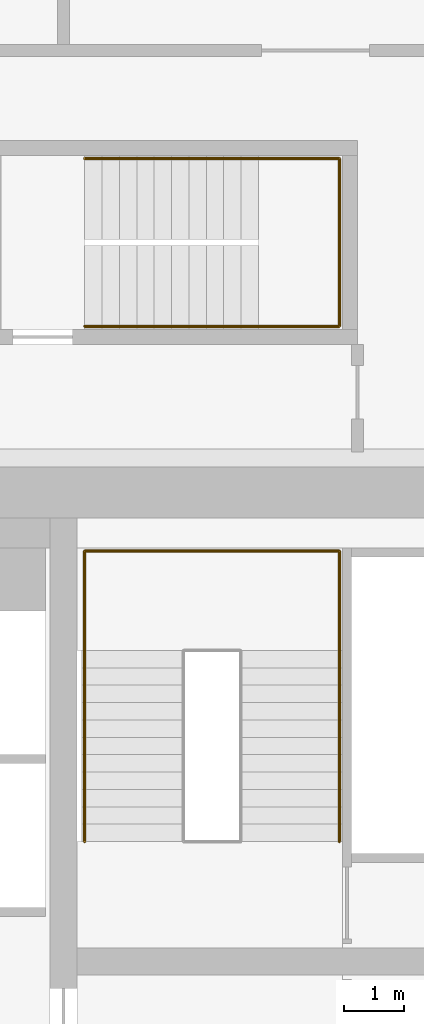
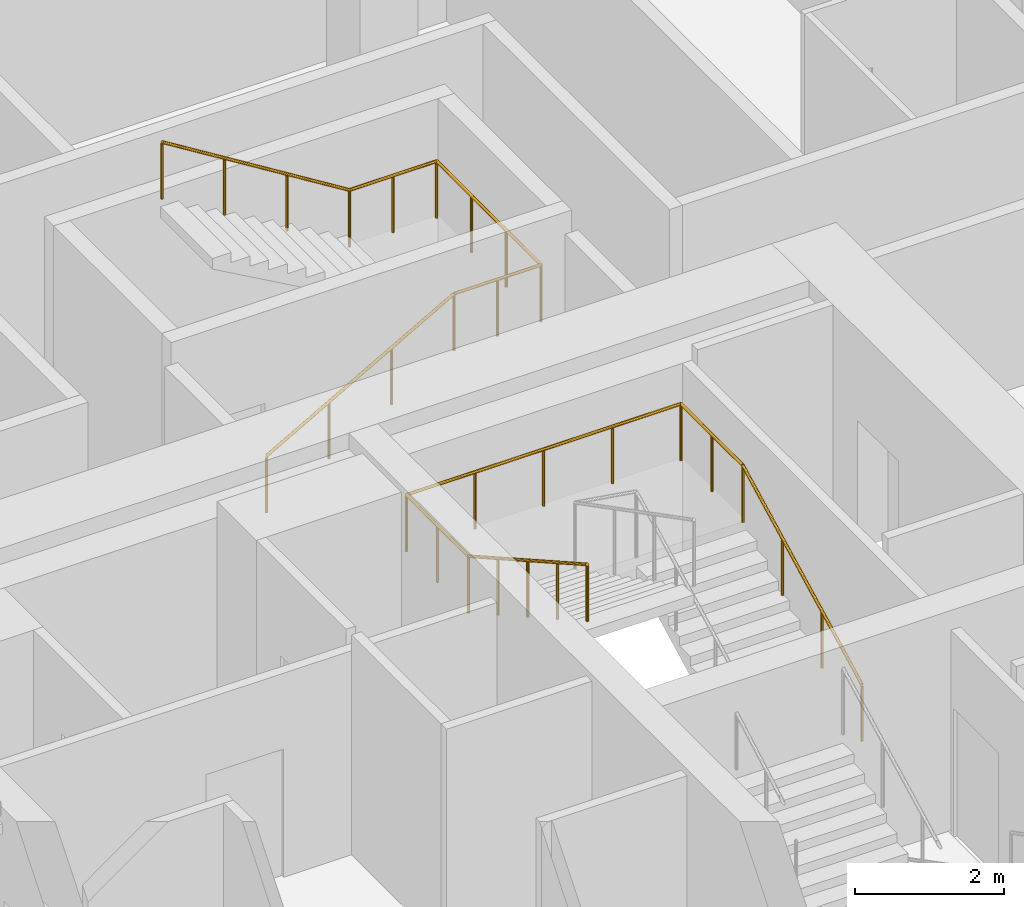
# One storey, part 36 of 36: 2 railings.
"""IFC4 building model written with IfcOpenShell, lengths in metres."""

from ifc_helpers import new_model, si_unit, direction, frame, origin, origin_2d, place, context, subcontext, project, spatial, circle, extrude, material, type_object, element, save


model = new_model("IFC4")

# Units and contexts
model_context = context("Model", 3, precision=1e-05, world=origin(), true_north=direction((0.0, 1.0)))
body_context = subcontext(model_context, "Body", "Model", "MODEL_VIEW")
ifc_project = project(units=[si_unit("LENGTHUNIT", "METRE"), si_unit("AREAUNIT", "SQUARE_METRE"), si_unit("VOLUMEUNIT", "CUBIC_METRE"), si_unit("PLANEANGLEUNIT", "RADIAN"), si_unit("MASSUNIT", "GRAM", prefix="KILO")], contexts=[model_context])

# Site, building, storey
site_placement = place(None, origin())
site = spatial("IfcSite", under=ifc_project, at=site_placement, CompositionType="ELEMENT")
building_placement = place(site_placement, origin())
building = spatial("IfcBuilding", under=site, at=building_placement, Name="Marenta Gate Hotel Tower", CompositionType="ELEMENT")
storey_placement = place(building_placement, frame((0.0, 0.0, 158.89990234375)))
storey = spatial("IfcBuildingStorey", under=building, at=storey_placement, Name="L37", CompositionType="ELEMENT", Elevation=158.89990234375)

# Railings
ifc_material = material(Name="Stainless steel", Category="steel")
railing_type = type_object("IfcRailingType", Name="Core stair handrail 950", PredefinedType="HANDRAIL", material=ifc_material)
railing_1_placement = place(storey_placement, frame((8.800048828125, 10.39990234375, 0.150146484375)))
element("IfcRailing", 1, at=railing_1_placement, inside=storey, type_object=railing_type, Name="HR-950 L37-KR-ST4-1", PredefinedType="HANDRAIL", context=body_context, shape_type="SweptSolid", body=[
    extrude(circle(Radius=0.02392578125, at=origin_2d()), frame((0.0, 0.0, 0.92578125), z_axis=(0.0, 0.888239641807, 0.459380385653), x_axis=(-1.0, 0.0, 0.0)), (0.0, 0.0, 1.0), 3.591552734375),
    extrude(circle(Radius=0.02392578125, at=origin_2d()), frame((0.0, 3.190185546875, 2.57568359375), z_axis=(0.0, 1.0, 0.0), x_axis=(-1.0, 0.0, 0.0)), (0.0, 0.0, 1.0), 1.659912109375),
    extrude(circle(Radius=0.02392578125, at=origin_2d()), frame((0.0, 4.85009765625, 2.57568359375), z_axis=(-1.0, 0.0, 0.0), x_axis=(0.0, -1.0, 0.0)), (0.0, 0.0, 1.0), 4.25),
    extrude(circle(Radius=0.02392578125, at=origin_2d()), frame((-4.25, 4.85009765625, 2.57568359375), z_axis=(0.0, -1.0, 0.0), x_axis=(1.0, 0.0, 0.0)), (0.0, 0.0, 1.0), 1.659912109375),
    extrude(circle(Radius=0.02392578125, at=origin_2d()), frame((-4.25, 3.190185546875, 2.57568359375), z_axis=(0.0, -0.870925075533, 0.491415824742), x_axis=(1.0, 0.0, 0.0)), (0.0, 0.0, 1.0), 3.6630859375),
    extrude(circle(Radius=0.02099609375, at=origin_2d()), origin(), (0.0, 0.0, 1.0), 0.90185546875),
    extrude(circle(Radius=0.02099609375, at=origin_2d()), frame((0.0, 1.0634765625, 0.550048828125)), (0.0, 0.0, 1.0), 0.90185546875),
    extrude(circle(Radius=0.02099609375, at=origin_2d()), frame((0.0, 2.126708984375, 1.099853515625)), (0.0, 0.0, 1.0), 0.90185546875),
    extrude(circle(Radius=0.02099609375, at=origin_2d()), frame((0.0, 3.190185546875, 1.64990234375)), (0.0, 0.0, 1.0), 0.90185546875),
    extrude(circle(Radius=0.02099609375, at=origin_2d()), frame((0.0, 4.02001953125, 1.64990234375)), (0.0, 0.0, 1.0), 0.90185546875),
    extrude(circle(Radius=0.02099609375, at=origin_2d()), frame((0.0, 4.85009765625, 1.64990234375)), (0.0, 0.0, 1.0), 0.90185546875),
    extrude(circle(Radius=0.02099609375, at=origin_2d()), frame((-1.0625, 4.85009765625, 1.64990234375)), (0.0, 0.0, 1.0), 0.90185546875),
    extrude(circle(Radius=0.02099609375, at=origin_2d()), frame((-2.125, 4.85009765625, 1.64990234375)), (0.0, 0.0, 1.0), 0.90185546875),
    extrude(circle(Radius=0.02099609375, at=origin_2d()), frame((-3.1875, 4.85009765625, 1.64990234375)), (0.0, 0.0, 1.0), 0.90185546875),
    extrude(circle(Radius=0.02099609375, at=origin_2d()), frame((-4.25, 4.85009765625, 1.64990234375)), (0.0, 0.0, 1.0), 0.90185546875),
    extrude(circle(Radius=0.02099609375, at=origin_2d()), frame((-4.25, 4.02001953125, 1.64990234375)), (0.0, 0.0, 1.0), 0.90185546875),
    extrude(circle(Radius=0.02099609375, at=origin_2d()), frame((-4.25, 3.190185546875, 1.64990234375)), (0.0, 0.0, 1.0), 0.90185546875),
    extrude(circle(Radius=0.02099609375, at=origin_2d()), frame((-4.25, 2.392578125, 2.099853515625)), (0.0, 0.0, 1.0), 0.90185546875),
    extrude(circle(Radius=0.02099609375, at=origin_2d()), frame((-4.25, 1.59521484375, 2.5498046875)), (0.0, 0.0, 1.0), 0.90185546875),
    extrude(circle(Radius=0.02099609375, at=origin_2d()), frame((-4.25, 0.797607421875, 3.0)), (0.0, 0.0, 1.0), 0.90185546875),
    extrude(circle(Radius=0.02099609375, at=origin_2d()), frame((-4.25, 0.0, 3.449951171875)), (0.0, 0.0, 1.0), 0.90185546875),
])
railing_2_placement = place(storey_placement, frame((4.550048828125, 19.0, 0.163818359375)))
element("IfcRailing", 2, at=railing_2_placement, inside=storey, type_object=railing_type, Name="HR-950 L37-RS-Z2-4-KR-1", PredefinedType="HANDRAIL", context=body_context, shape_type="SweptSolid", body=[
    extrude(circle(Radius=0.02392578125, at=origin_2d()), frame((0.0, 0.0, 0.92578125), z_axis=(0.870928581787, 0.0, 0.491409610636), x_axis=(0.0, 1.0, 0.0)), (0.0, 0.0, 1.0), 3.32958984375),
    extrude(circle(Radius=0.02392578125, at=origin_2d()), frame((2.89990234375, 0.0, 2.56201171875), z_axis=(1.0, 0.0, 0.0), x_axis=(0.0, 1.0, 0.0)), (0.0, 0.0, 1.0), 1.35009765625),
    extrude(circle(Radius=0.02392578125, at=origin_2d()), frame((4.25, 0.0, 2.56201171875), z_axis=(0.0, 1.0, 0.0), x_axis=(-1.0, 0.0, 0.0)), (0.0, 0.0, 1.0), 2.800048828125),
    extrude(circle(Radius=0.02392578125, at=origin_2d()), frame((4.25, 2.800048828125, 2.56201171875), z_axis=(-1.0, 0.0, 0.0), x_axis=(0.0, -1.0, 0.0)), (0.0, 0.0, 1.0), 1.35009765625),
    extrude(circle(Radius=0.02392578125, at=origin_2d()), frame((2.89990234375, 2.800048828125, 2.56201171875), z_axis=(-0.849625798611, 0.0, 0.527386008853), x_axis=(0.0, -1.0, 0.0)), (0.0, 0.0, 1.0), 3.4130859375),
    extrude(circle(Radius=0.02099609375, at=origin_2d()), origin(), (0.0, 0.0, 1.0), 0.90185546875),
    extrude(circle(Radius=0.02099609375, at=origin_2d()), frame((0.966552734375, 0.0, 0.54541015625)), (0.0, 0.0, 1.0), 0.90185546875),
    extrude(circle(Radius=0.02099609375, at=origin_2d()), frame((1.933349609375, 0.0, 1.0908203125)), (0.0, 0.0, 1.0), 0.90185546875),
    extrude(circle(Radius=0.02099609375, at=origin_2d()), frame((2.89990234375, 0.0, 1.63623046875)), (0.0, 0.0, 1.0), 0.90185546875),
    extrude(circle(Radius=0.02099609375, at=origin_2d()), frame((3.574951171875, 0.0, 1.63623046875)), (0.0, 0.0, 1.0), 0.90185546875),
    extrude(circle(Radius=0.02099609375, at=origin_2d()), frame((4.25, 0.0, 1.63623046875)), (0.0, 0.0, 1.0), 0.90185546875),
    extrude(circle(Radius=0.02099609375, at=origin_2d()), frame((4.25, 0.933349609375, 1.63623046875)), (0.0, 0.0, 1.0), 0.90185546875),
    extrude(circle(Radius=0.02099609375, at=origin_2d()), frame((4.25, 1.86669921875, 1.63623046875)), (0.0, 0.0, 1.0), 0.90185546875),
    extrude(circle(Radius=0.02099609375, at=origin_2d()), frame((4.25, 2.800048828125, 1.63623046875)), (0.0, 0.0, 1.0), 0.90185546875),
    extrude(circle(Radius=0.02099609375, at=origin_2d()), frame((3.574951171875, 2.800048828125, 1.63623046875)), (0.0, 0.0, 1.0), 0.90185546875),
    extrude(circle(Radius=0.02099609375, at=origin_2d()), frame((2.89990234375, 2.800048828125, 1.63623046875)), (0.0, 0.0, 1.0), 0.90185546875),
    extrude(circle(Radius=0.02099609375, at=origin_2d()), frame((1.933349609375, 2.800048828125, 2.236328125)), (0.0, 0.0, 1.0), 0.90185546875),
    extrude(circle(Radius=0.02099609375, at=origin_2d()), frame((0.966552734375, 2.800048828125, 2.836181640625)), (0.0, 0.0, 1.0), 0.90185546875),
    extrude(circle(Radius=0.02099609375, at=origin_2d()), frame((0.0, 2.800048828125, 3.436279296875)), (0.0, 0.0, 1.0), 0.90185546875),
])

save(model, "model.ifc")
